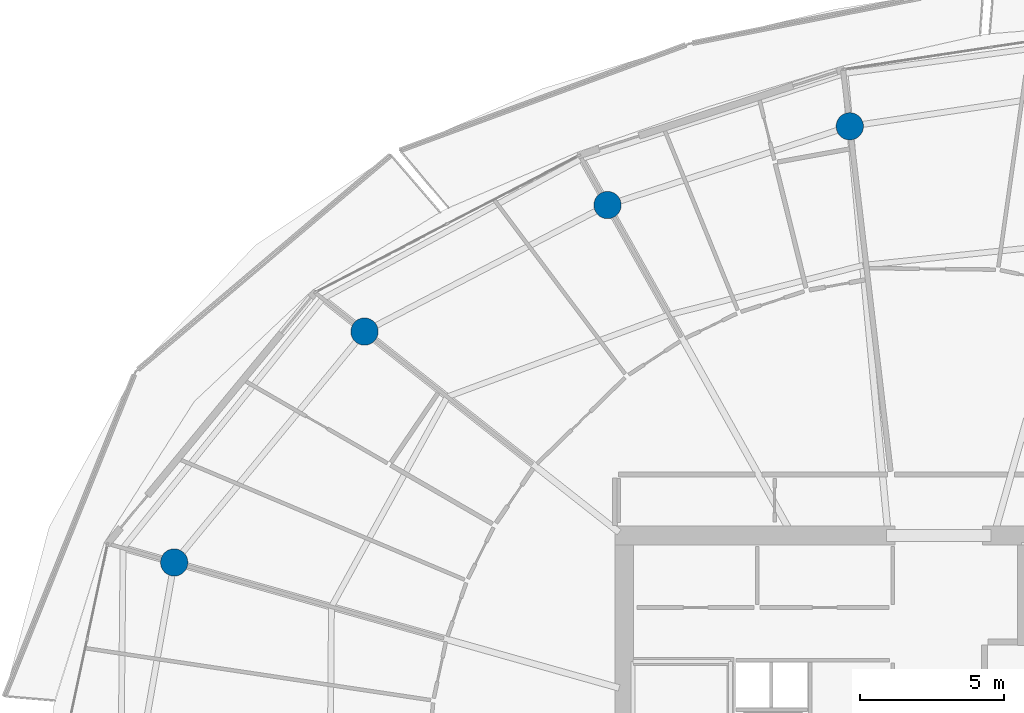
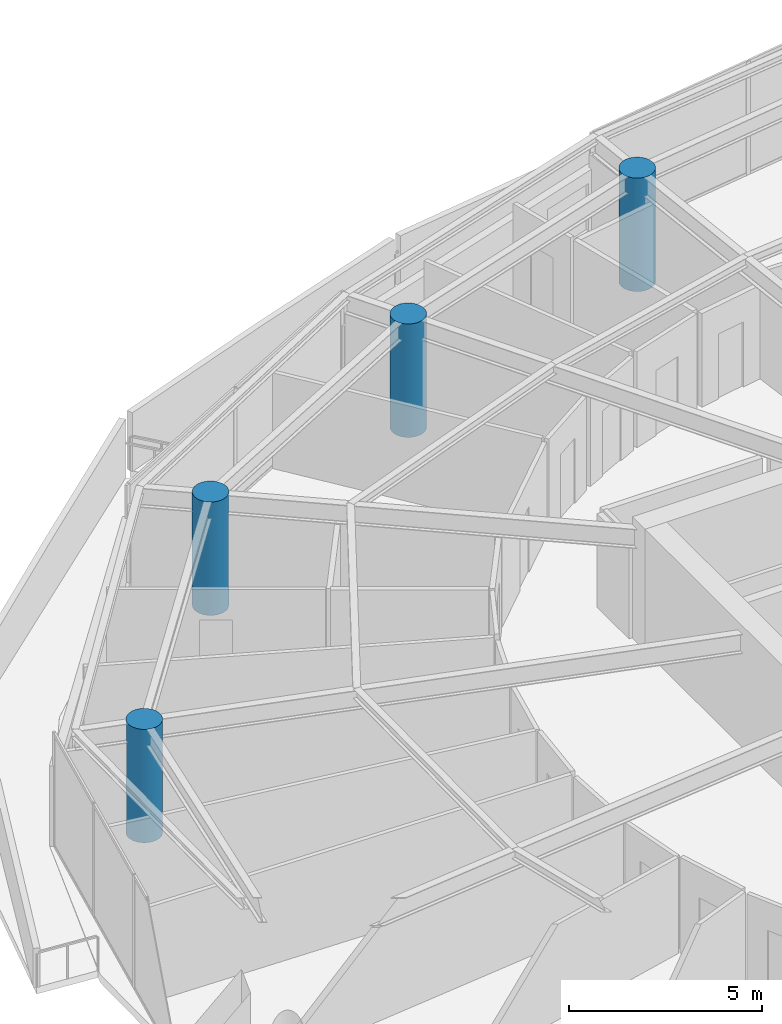
# One storey, part 4 of 31: 4 columns.
"""IFC4 building model written with IfcOpenShell, lengths in metres."""

from ifc_helpers import new_model, si_unit, direction, frame, origin, origin_2d, place, context, subcontext, project, spatial, circle, extrude, material, material_profile, profile_set, type_object, element, save


model = new_model("IFC4")

# Units and contexts
model_context = context("Model", 3, precision=1e-05, world=origin(), true_north=direction((0.0, 1.0)))
body_context = subcontext(model_context, "Body", "Model", "MODEL_VIEW")
ifc_project = project(units=[si_unit("LENGTHUNIT", "METRE"), si_unit("AREAUNIT", "SQUARE_METRE"), si_unit("VOLUMEUNIT", "CUBIC_METRE"), si_unit("PLANEANGLEUNIT", "RADIAN"), si_unit("MASSUNIT", "GRAM", prefix="KILO")], contexts=[model_context])

# Site, building, storey
site_placement = place(None, origin())
site = spatial("IfcSite", under=ifc_project, at=site_placement, CompositionType="ELEMENT")
building_placement = place(site_placement, origin())
building = spatial("IfcBuilding", under=site, at=building_placement, Name="Kazma Halo Residences", CompositionType="ELEMENT")
storey_placement = place(building_placement, frame((0.0, 0.0, 271.35009765625)))
storey = spatial("IfcBuildingStorey", under=building, at=storey_placement, Name="L68", CompositionType="ELEMENT", Elevation=271.35009765625)

# Columns
ifc_material = material(Name="Concrete C60/75", Category="concrete")
ifc_material_profile = material_profile(ifc_material, circle(Radius=0.47509765625, at=origin_2d()), Name="CIRC950")
ifc_profile_set = profile_set([ifc_material_profile], Name="Concrete C60/75")
column_type = type_object("IfcColumnType", Name="COL-PERIM-950", PredefinedType="COLUMN", material=ifc_profile_set)
for number, where, z_axis, x_axis, name in (
    (1, (45.32861328125, 64.57080078125, 0.0), (0.0, 0.0, 1.0), (1.0, 0.0, 0.0), "L68 perimeter ring column P04"),
    (2, (36.89453125, 61.830322265625, 0.0), (0.0, 0.0, 1.0), (1.0, 0.0, 0.0), "L68 perimeter ring column P05"),
    (3, (28.433837890625, 57.4248046875, 0.0), (0.0, 0.0, 1.0), (1.0, 0.0, 0.0), "L68 perimeter ring column P06"),
    (4, (21.80908203125, 49.38671875, 0.0), (0.0, 0.0, 1.0), (1.0, 0.0, 0.0), "L68 perimeter ring column P07"),
):
    element("IfcColumn", number, at=place(storey_placement, frame(where, z_axis=z_axis, x_axis=x_axis)), inside=storey, type_object=column_type, Name=name, PredefinedType="COLUMN", context=body_context, shape_type="SweptSolid", body=[
        extrude(circle(Radius=0.47509765625, at=origin_2d()), origin(), (0.0, 0.0, 1.0), 3.58984375),
    ])

save(model, "model.ifc")
